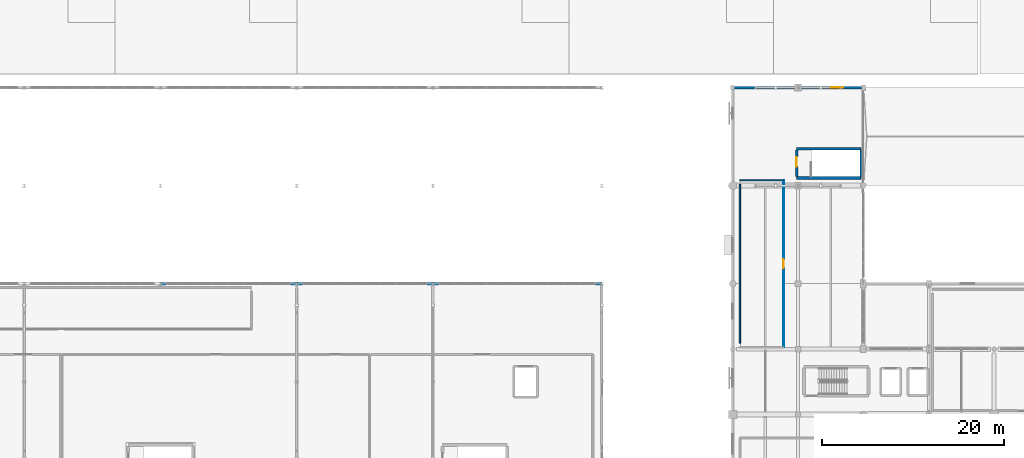
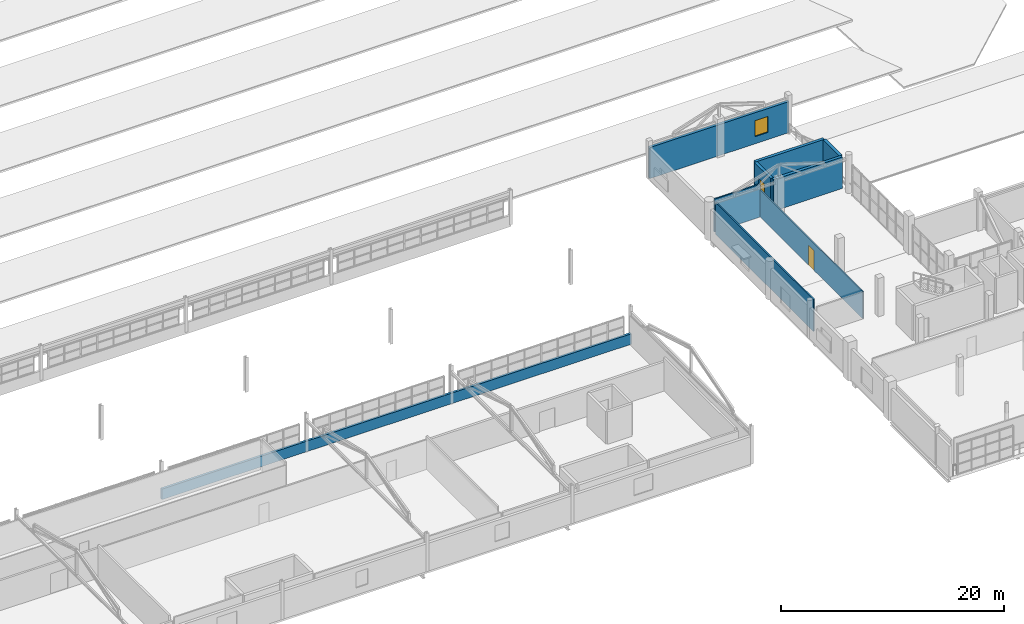
# One storey, part 73 of 90: 9 walls, 2 doors, 1 window, 3 openings.
"""IFC4 building model written with IfcOpenShell, lengths in metres."""

from ifc_helpers import new_model, si_unit, direction, frame, frame_2d, origin, place, context, subcontext, project, spatial, rectangle, extrude, material, layer, layer_set, type_object, element, fill, save


model = new_model("IFC4")

# Units and contexts
model_context = context("Model", 3, precision=1e-05, world=origin(), true_north=direction((0.0, 1.0)))
body_context = subcontext(model_context, "Body", "Model", "MODEL_VIEW")
ifc_project = project(units=[si_unit("LENGTHUNIT", "METRE"), si_unit("AREAUNIT", "SQUARE_METRE"), si_unit("VOLUMEUNIT", "CUBIC_METRE"), si_unit("PLANEANGLEUNIT", "RADIAN"), si_unit("MASSUNIT", "GRAM", prefix="KILO")], contexts=[model_context])

# Site, building, storey
site_placement = place(None, origin())
site = spatial("IfcSite", under=ifc_project, at=site_placement, CompositionType="ELEMENT")
building_placement = place(site_placement, origin())
building = spatial("IfcBuilding", under=site, at=building_placement, Name="Solanera Park Tramway Depot", CompositionType="ELEMENT")
storey_placement = place(building_placement, frame((0.0, 0.0, 9.0)))
storey = spatial("IfcBuildingStorey", under=building, at=storey_placement, Name="L02", CompositionType="ELEMENT", Elevation=9.0)

# Walls
ifc_material_1 = material(Name="Concrete N32 (C32/40)", Category="concrete")
ifc_layer_1 = layer(ifc_material_1, 0.14990234375)
ifc_layer_set_1 = layer_set([ifc_layer_1], Name="Concrete N32 (C32/40)")
wall_type_1 = type_object("IfcWallType", Name="Acoustic Partition 150", PredefinedType="PARTITIONING", material=ifc_layer_set_1)
wall_1_placement = place(storey_placement, frame((108.800048828125, 43.800048828125, 0.0), z_axis=(0.0, 0.0, 1.0), x_axis=(1.0, 0.0, 0.0)))
element("IfcWall", 1, at=wall_1_placement, inside=storey, type_object=wall_type_1, Name="Timetabling and Network Planning Studio Dividing Wall", PredefinedType="PARTITIONING", context=body_context, shape_type="SweptSolid", body=[
    extrude(rectangle(XDim=4.800048828125, YDim=0.14990234375, at=frame_2d((2.39990234375, 0.0))), origin(), (0.0, 0.0, 1.0), 3.60009765625),
])
wall_2_placement = place(storey_placement, frame((108.800048828125, 43.35009765625, 0.0), z_axis=(0.0, 0.0, 1.0), x_axis=(0.0, -1.0, 0.0)))
element("IfcWall", 2, at=wall_2_placement, inside=storey, type_object=wall_type_1, Name="Timetabling and Network Planning Studio Dividing Wall", PredefinedType="PARTITIONING", context=body_context, shape_type="SweptSolid", body=[
    extrude(rectangle(XDim=17.5, YDim=0.14990234375, at=frame_2d((8.75, 0.0))), origin(), (0.0, 0.0, 1.0), 3.482177734375),
])
ifc_material_2 = material(Name="Concrete N40 (C40/50)", Category="concrete")
ifc_layer_2 = layer(ifc_material_2, 0.300048828125)
ifc_layer_set_2 = layer_set([ifc_layer_2], Name="Concrete N40 (C40/50)")
wall_type_2 = type_object("IfcWallType", Name="Core Shear Wall 300", PredefinedType="SHEAR", material=ifc_layer_set_2)
for number, where, z_axis, x_axis, name in (
    (3, (115.050048828125, 44.050048828125, 0.0), (0.0, 0.0, 1.0), (1.0, 0.0, 0.0), "ST-07 L02 Shear Core Wall S"),
    (4, (122.14990234375, 47.25, 0.0), (0.0, 0.0, 1.0), (-1.0, 0.0, 0.0), "ST-07 L02 Shear Core Wall N"),
):
    element("IfcWall", number, at=place(storey_placement, frame(where, z_axis=z_axis, x_axis=x_axis)), inside=storey, type_object=wall_type_2, Name=name, PredefinedType="SHEAR", context=body_context, shape_type="SweptSolid", body=[
        extrude(rectangle(XDim=7.099853515625, YDim=0.300048828125, at=frame_2d((3.5498046875, 0.0))), origin(), (0.0, 0.0, 1.0), 3.449951171875),
    ])
wall_3_placement = place(storey_placement, frame((122.14990234375, 44.199951171875, 0.0), z_axis=(0.0, 0.0, 1.0), x_axis=(0.0, 1.0, 0.0)))
element("IfcWall", 5, at=wall_3_placement, inside=storey, type_object=wall_type_2, Name="ST-07 L02 Shear Core Wall E", PredefinedType="SHEAR", context=body_context, shape_type="SweptSolid", body=[
    extrude(rectangle(XDim=2.900146484375, YDim=0.300048828125, at=frame_2d((1.4501953125, 0.0))), origin(), (0.0, 0.0, 1.0), 3.449951171875),
])

# Wall, opening, door
wall_4_placement = place(storey_placement, frame((115.050048828125, 47.10009765625, 0.0), z_axis=(0.0, 0.0, 1.0), x_axis=(0.0, -1.0, 0.0)))
wall_4 = element("IfcWall", 6, at=wall_4_placement, inside=storey, type_object=wall_type_2, Name="ST-07 L02 Shear Core Wall W", PredefinedType="SHEAR", context=body_context, shape_type="SweptSolid", body=[
    extrude(rectangle(XDim=2.900146484375, YDim=0.300048828125, at=frame_2d((1.4501953125, 0.0))), origin(), (0.0, 0.0, 1.0), 3.449951171875),
])
opening_1_placement = place(wall_4_placement, frame((0.75, 0.0, 0.0)))
opening_1 = element("IfcOpeningElement", 7, at=opening_1_placement, cuts=wall_4, Name="Opening FD-S1L", PredefinedType="OPENING", context=body_context, shape_type="SweptSolid", body=[
    extrude(rectangle(XDim=1.050048828125, YDim=2.14990234375, at=frame_2d((0.52490234375, 1.074951171875))), frame((0.0, 0.16015625, 0.0), z_axis=(0.0, -1.0, 0.0), x_axis=(1.0, 0.0, 0.0)), (0.0, 0.0, 1.0), 0.320068359375),
])
ifc_material_3 = material(Name="Fire-rated steel or solid-core hardwood door leaf", Category="steel")
door_type_1 = type_object("IfcDoorType", Name="Stair Fire Door L 1050x2150", OperationType="SINGLE_SWING_LEFT", PredefinedType="DOOR", material=ifc_material_3)
door_1_placement = place(opening_1_placement, origin())
door_1 = element("IfcDoor", 8, at=door_1_placement, inside=storey, type_object=door_type_1, Name="ST-07 L02 Stair Fire Door", OperationType="SINGLE_SWING_LEFT", OverallHeight=2.14990234375, OverallWidth=1.050048828125, PredefinedType="DOOR", context=body_context, shape_type="SweptSolid", body=[
    extrude(rectangle(XDim=1.050048828125, YDim=2.14990234375, at=frame_2d((0.52490234375, 1.074951171875))), frame((0.0, 0.02490234375, 0.0), z_axis=(0.0, -1.0, 0.0), x_axis=(1.0, 0.0, 0.0)), (0.0, 0.0, 1.0), 0.050048828125),
])
fill(opening_1, door_1)

# Wall, opening, window
ifc_material_4 = material(Name="Concrete N32 (C32/40)", Category="concrete")
ifc_layer_3 = layer(ifc_material_4, 0.280029296875)
ifc_layer_set_3 = layer_set([ifc_layer_3], Name="Concrete N32 (C32/40)")
wall_type_3 = type_object("IfcWallType", Name="Ext Stucco Wall 280", PredefinedType="SOLIDWALL", material=ifc_layer_set_3)
wall_5_placement = place(storey_placement, frame((122.39990234375, 54.0, 0.0), z_axis=(0.0, 0.0, 1.0), x_axis=(-1.0, 0.0, 0.0)))
wall_5 = element("IfcWall", 9, at=wall_5_placement, inside=storey, type_object=wall_type_3, Name="L02 Exterior Wall #030", PredefinedType="SOLIDWALL", context=body_context, shape_type="SweptSolid", body=[
    extrude(rectangle(XDim=14.39990234375, YDim=0.280029296875, at=frame_2d((7.199951171875, 0.0))), origin(), (0.0, 0.0, 1.0), 3.39990234375),
])
opening_2_placement = place(wall_5_placement, frame((2.199951171875, 0.0, 0.780029296875)))
opening_2 = element("IfcOpeningElement", 10, at=opening_2_placement, cuts=wall_5, Name="Opening WN-C13", PredefinedType="OPENING", context=body_context, shape_type="SweptSolid", body=[
    extrude(rectangle(XDim=1.35009765625, YDim=1.75, at=frame_2d((0.675048828125, 0.875))), frame((0.0, 0.14990234375, 0.0), z_axis=(0.0, -1.0, 0.0), x_axis=(1.0, 0.0, 0.0)), (0.0, 0.0, 1.0), 0.300048828125),
])
ifc_material_5 = material(Name="Powder-coated aluminium frame with solar-control double glazing", Category="aluminium")
window_type = type_object("IfcWindowType", Name="Cloister Casement Window 1350x1750", PartitioningType="SINGLE_PANEL", PredefinedType="WINDOW", material=ifc_material_5)
window_placement = place(opening_2_placement, origin())
window = element("IfcWindow", 11, at=window_placement, inside=storey, type_object=window_type, Name="L02 Cloister Casement Window 1350x1750 #0136", OverallHeight=1.75, OverallWidth=1.35009765625, PartitioningType="SINGLE_PANEL", PredefinedType="WINDOW", context=body_context, shape_type="SweptSolid", body=[
    extrude(rectangle(XDim=1.35009765625, YDim=1.75, at=frame_2d((0.675048828125, 0.875))), frame((0.0, 0.030029296875, 0.0), z_axis=(0.0, -1.0, 0.0), x_axis=(1.0, 0.0, 0.0)), (0.0, 0.0, 1.0), 0.06005859375),
])
fill(opening_2, window)

# Wall
ifc_material_6 = material(Name="Concrete N32 (C32/40)", Category="concrete")
ifc_layer_4 = layer(ifc_material_6, 0.239990234375)
ifc_layer_set_4 = layer_set([ifc_layer_4], Name="Concrete N32 (C32/40)")
wall_type_4 = type_object("IfcWallType", Name="Roof Parapet Wall 240", PredefinedType="PARAPET", material=ifc_layer_set_4)
wall_6_placement = place(storey_placement, frame((45.0, 32.39990234375, 0.0), z_axis=(0.0, 0.0, 1.0), x_axis=(1.0, 0.0, 0.0)))
element("IfcWall", 12, at=wall_6_placement, inside=storey, type_object=wall_type_4, Name="Roof Parapet Wall #04", PredefinedType="PARAPET", context=body_context, shape_type="SweptSolid", body=[
    extrude(rectangle(XDim=48.60009765625, YDim=0.239990234375, at=frame_2d((24.300048828125, 0.0))), origin(), (0.0, 0.0, 1.0), 1.14990234375),
])

# Wall, opening, door
ifc_material_7 = material(Name="Concrete N32 (C32/40)", Category="concrete")
ifc_layer_5 = layer(ifc_material_7, 0.110107421875)
ifc_layer_set_5 = layer_set([ifc_layer_5], Name="Concrete N32 (C32/40)")
wall_type_5 = type_object("IfcWallType", Name="Workshop Glazed Screen 110", PredefinedType="PARTITIONING", material=ifc_layer_set_5)
wall_7_placement = place(storey_placement, frame((113.60009765625, 25.39990234375, 0.0), z_axis=(0.0, 0.0, 1.0), x_axis=(0.0, 1.0, 0.0)))
wall_7 = element("IfcWall", 13, at=wall_7_placement, inside=storey, type_object=wall_type_5, Name="Timetabling and Network Planning Studio Corridor Wall", PredefinedType="PARTITIONING", context=body_context, shape_type="SweptSolid", body=[
    extrude(rectangle(XDim=18.400146484375, YDim=0.110107421875, at=frame_2d((9.2001953125, 0.0))), origin(), (0.0, 0.0, 1.0), 2.951904296875),
])
opening_3_placement = place(wall_7_placement, frame((8.715087890625, 0.0, 0.0)))
opening_3 = element("IfcOpeningElement", 14, at=opening_3_placement, cuts=wall_7, Name="Opening ID-O1R", PredefinedType="OPENING", context=body_context, shape_type="SweptSolid", body=[
    extrude(rectangle(XDim=0.969970703125, YDim=2.14990234375, at=frame_2d((0.48486328125, 1.074951171875))), frame((0.0, 0.06494140625, 0.0), z_axis=(0.0, -1.0, 0.0), x_axis=(1.0, 0.0, 0.0)), (0.0, 0.0, 1.0), 0.130126953125),
])
ifc_material_8 = material(Name="Fire-rated steel or solid-core hardwood door leaf", Category="steel")
door_type_2 = type_object("IfcDoorType", Name="Office Single Door R 970x2150", OperationType="SINGLE_SWING_RIGHT", PredefinedType="DOOR", material=ifc_material_8)
door_2_placement = place(opening_3_placement, origin())
door_2 = element("IfcDoor", 15, at=door_2_placement, inside=storey, type_object=door_type_2, Name="Timetabling and Network Planning Studio Door", OperationType="SINGLE_SWING_RIGHT", OverallHeight=2.14990234375, OverallWidth=0.969970703125, PredefinedType="DOOR", context=body_context, shape_type="SweptSolid", body=[
    extrude(rectangle(XDim=0.969970703125, YDim=2.14990234375, at=frame_2d((0.48486328125, 1.074951171875))), frame((0.0, 0.02490234375, 0.0), z_axis=(0.0, -1.0, 0.0), x_axis=(1.0, 0.0, 0.0)), (0.0, 0.0, 1.0), 0.050048828125),
])
fill(opening_3, door_2)

save(model, "model.ifc")
